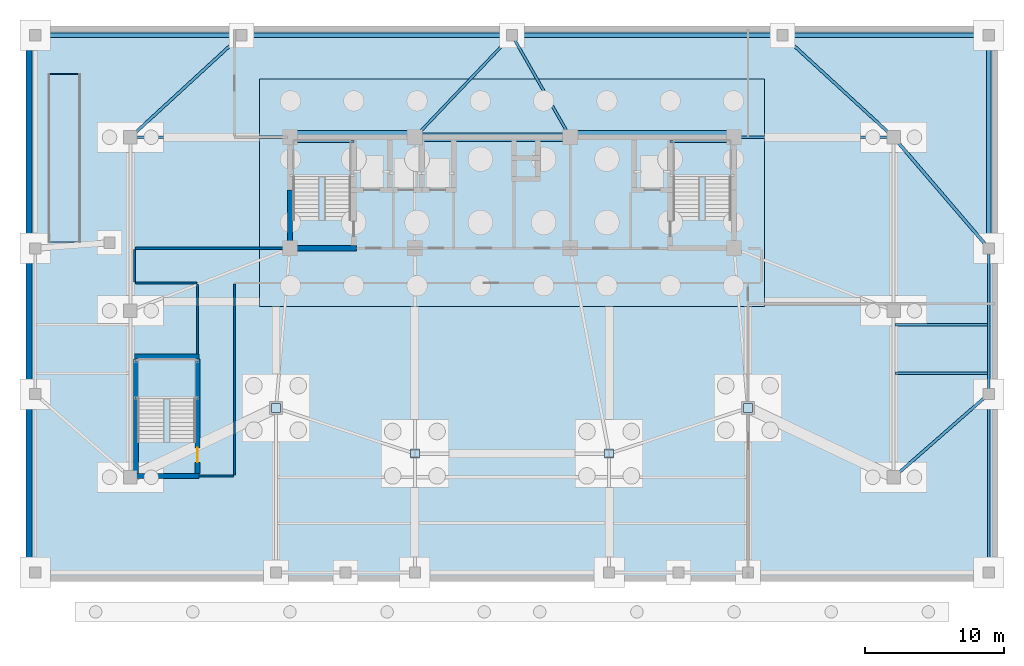
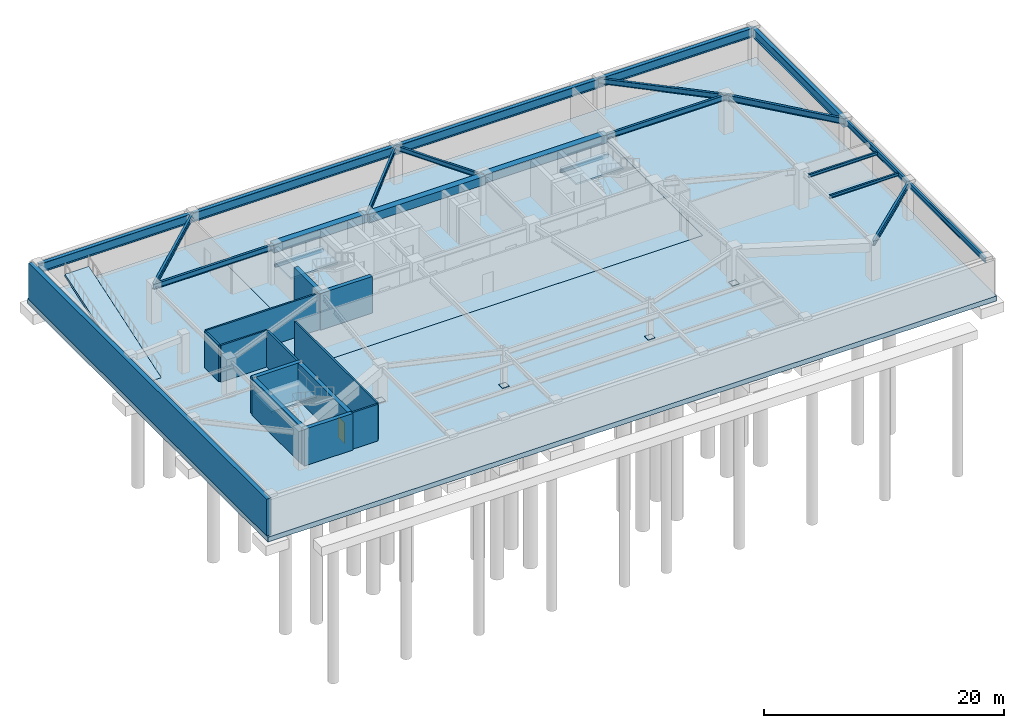
# One storey, part 4 of 10: 22 beams, 13 walls, 6 slabs, 4 plates, 1 door, 1 opening, 3 elements without a shape of their own.
"""IFC4 building model written with IfcOpenShell, lengths in metres."""

from ifc_helpers import new_model, si_unit, direction, frame, frame_2d, origin, origin_2d, place, context, subcontext, project, spatial, polyline, rectangle, hollow_rectangle, i_section, outline, extrude, source, transform, mapped, material, layer, layer_set, material_profile, profile_set, type_object, element, fill, aggregate, save


model = new_model("IFC4")

# Units and contexts
model_context = context("Model", 3, precision=1e-05, world=origin(), true_north=direction((0.0, 1.0)))
body_context = subcontext(model_context, "Body", "Model", "MODEL_VIEW")
ifc_project = project(units=[si_unit("LENGTHUNIT", "METRE"), si_unit("AREAUNIT", "SQUARE_METRE"), si_unit("VOLUMEUNIT", "CUBIC_METRE"), si_unit("PLANEANGLEUNIT", "RADIAN"), si_unit("MASSUNIT", "GRAM", prefix="KILO")], contexts=[model_context])

# Site, building, storey
site_placement = place(None, origin())
site = spatial("IfcSite", under=ifc_project, at=site_placement, CompositionType="ELEMENT")
building_placement = place(site_placement, origin())
building = spatial("IfcBuilding", under=site, at=building_placement, Name="Taldren Reach Tower", CompositionType="ELEMENT")
storey_placement = place(building_placement, frame((0.0, 0.0, -8.0)))
storey = spatial("IfcBuildingStorey", under=building, at=storey_placement, Name="B2", CompositionType="ELEMENT", Elevation=-8.0)

# Beams
ifc_material_1 = material(Name="Concrete S80 (80 MPa)", Category="concrete")
ifc_material_profile_1 = material_profile(ifc_material_1, rectangle(XDim=0.60009765625, YDim=0.85009765625, at=origin_2d()), Name="RC-CB600x850")
ifc_profile_set_1 = profile_set([ifc_material_profile_1], Name="Concrete S80 (80 MPa)")
beam_type_1 = type_object("IfcBeamType", Name="BM-RCCB850", PredefinedType="BEAM", material=ifc_profile_set_1)
shared_shape_1 = source(origin(), body_context, "Body", "SweptSolid", [
    extrude(rectangle(XDim=0.60009765625, YDim=0.85009765625, at=origin_2d()), origin(), (0.0, 0.0, 1.0), 9.0),
])
beam_1_placement = place(storey_placement, frame((19.0, 32.179931640625, 3.294921875), z_axis=(1.0, 0.0, 0.0), x_axis=(0.0, 1.0, 0.0)))
element("IfcBeam", 1, at=beam_1_placement, inside=storey, type_object=beam_type_1, Name="Core-spine girder B2-SP04", PredefinedType="BEAM", context=body_context, shape_type="MappedRepresentation", body=[
    mapped(shared_shape_1, transform((0.0, 0.0, 0.0), scale=1.0)),
])
shared_shape_2 = source(origin(), body_context, "Body", "SweptSolid", [
    extrude(rectangle(XDim=0.60009765625, YDim=0.85009765625, at=origin_2d()), origin(), (0.0, 0.0, 1.0), 11.199951171875),
])
beam_2_placement = place(storey_placement, frame((28.0, 32.0, 3.294921875), z_axis=(1.0, 0.0, 0.0), x_axis=(0.0, 1.0, 0.0)))
element("IfcBeam", 2, at=beam_2_placement, inside=storey, type_object=beam_type_1, Name="Core-spine girder B2-SP05", PredefinedType="BEAM", context=body_context, shape_type="MappedRepresentation", body=[
    mapped(shared_shape_2, transform((0.0, 0.0, 0.0), scale=1.0)),
])
shared_shape_3 = source(origin(), body_context, "Body", "SweptSolid", [
    extrude(rectangle(XDim=0.60009765625, YDim=0.85009765625, at=origin_2d()), origin(), (0.0, 0.0, 1.0), 11.800048828125),
])
beam_3_placement = place(storey_placement, frame((39.199951171875, 32.179931640625, 3.294921875), z_axis=(1.0, 0.0, 0.0), x_axis=(0.0, 1.0, 0.0)))
element("IfcBeam", 3, at=beam_3_placement, inside=storey, type_object=beam_type_1, Name="Core-spine girder B2-SP06", PredefinedType="BEAM", context=body_context, shape_type="MappedRepresentation", body=[
    mapped(shared_shape_3, transform((0.0, 0.0, 0.0), scale=1.0)),
])
ifc_material_2 = material(Name="Steel Gr 350 (350PLUS)", Category="steel")
ifc_material_profile_2 = material_profile(ifc_material_2, i_section(OverallWidth=0.35009765625, OverallDepth=0.916015625, WebThickness=0.013916015625, FlangeThickness=0.028076171875, at=origin_2d()), Name="900WB257")
ifc_profile_set_2 = profile_set([ifc_material_profile_2], Name="Steel Gr 350 (350PLUS)")
beam_type_2 = type_object("IfcBeamType", Name="BM-WB900", PredefinedType="BEAM", material=ifc_profile_set_2)
shared_shape_4 = source(origin(), body_context, "Body", "SweptSolid", [
    extrude(i_section(OverallWidth=0.35009765625, OverallDepth=0.916015625, WebThickness=0.013916015625, FlangeThickness=0.028076171875, at=origin_2d()), origin(), (0.0, 0.0, 1.0), 14.85009765625),
])
for number, where, z_axis, x_axis, name in (
    (4, (0.64990234375, 39.35009765625, 3.261962890625), (1.0, 0.0, 0.0), (0.0, 1.0, 0.0), "Podium girder B2-PD08"),
    (5, (54.5, 39.35009765625, 3.261962890625), (1.0, 0.0, 0.0), (0.0, 1.0, 0.0), "Podium girder B2-PD11"),
):
    element("IfcBeam", number, at=place(storey_placement, frame(where, z_axis=z_axis, x_axis=x_axis)), inside=storey, type_object=beam_type_2, Name=name, PredefinedType="BEAM", context=body_context, shape_type="MappedRepresentation", body=[
        mapped(shared_shape_4, transform((0.0, 0.0, 0.0), scale=1.0)),
    ])
shared_shape_5 = source(origin(), body_context, "Body", "SweptSolid", [
    extrude(i_section(OverallWidth=0.35009765625, OverallDepth=0.916015625, WebThickness=0.013916015625, FlangeThickness=0.028076171875, at=origin_2d()), origin(), (0.0, 0.0, 1.0), 19.5),
])
for number, where, z_axis, x_axis, name in (
    (6, (15.5, 39.35009765625, 3.261962890625), (1.0, 0.0, 0.0), (0.0, 1.0, 0.0), "Podium girder B2-PD09"),
    (7, (35.0, 39.35009765625, 3.261962890625), (1.0, 0.0, 0.0), (0.0, 1.0, 0.0), "Podium girder B2-PD10"),
):
    element("IfcBeam", number, at=place(storey_placement, frame(where, z_axis=z_axis, x_axis=x_axis)), inside=storey, type_object=beam_type_2, Name=name, PredefinedType="BEAM", context=body_context, shape_type="MappedRepresentation", body=[
        mapped(shared_shape_5, transform((0.0, 0.0, 0.0), scale=1.0)),
    ])
ifc_material_profile_3 = material_profile(ifc_material_2, i_section(OverallWidth=0.208984375, OverallDepth=0.528076171875, WebThickness=0.009521484375, FlangeThickness=0.01318359375, at=origin_2d()), Name="530UB82.0")
ifc_profile_set_3 = profile_set([ifc_material_profile_3], Name="Steel Gr 350 (350PLUS)")
beam_type_3 = type_object("IfcBeamType", Name="SP-UB530B", PredefinedType="SPANDREL", material=ifc_profile_set_3)
shared_shape_6 = source(origin(), body_context, "Body", "SweptSolid", [
    extrude(i_section(OverallWidth=0.208984375, OverallDepth=0.528076171875, WebThickness=0.009521484375, FlangeThickness=0.01318359375, at=origin_2d()), origin(), (0.0, 0.0, 1.0), 12.85009765625),
])
beam_4_placement = place(storey_placement, frame((69.35009765625, 0.64990234375, 3.4560546875), z_axis=(0.0, 1.0, 0.0), x_axis=(-1.0, 0.0, 0.0)))
element("IfcBeam", 8, at=beam_4_placement, inside=storey, type_object=beam_type_3, Name="Podium beam B2-PD15", PredefinedType="SPANDREL", context=body_context, shape_type="MappedRepresentation", body=[
    mapped(shared_shape_6, transform((0.0, 0.0, 0.0), scale=1.0)),
])
shared_shape_7 = source(origin(), body_context, "Body", "SweptSolid", [
    extrude(i_section(OverallWidth=0.208984375, OverallDepth=0.528076171875, WebThickness=0.009521484375, FlangeThickness=0.01318359375, at=origin_2d()), origin(), (0.0, 0.0, 1.0), 10.5),
])
beam_5_placement = place(storey_placement, frame((69.35009765625, 13.5, 3.4560546875), z_axis=(0.0, 1.0, 0.0), x_axis=(-1.0, 0.0, 0.0)))
element("IfcBeam", 9, at=beam_5_placement, inside=storey, type_object=beam_type_3, Name="Podium beam B2-PD16", PredefinedType="SPANDREL", context=body_context, shape_type="MappedRepresentation", body=[
    mapped(shared_shape_7, transform((0.0, 0.0, 0.0), scale=1.0)),
])
shared_shape_8 = source(origin(), body_context, "Body", "SweptSolid", [
    extrude(i_section(OverallWidth=0.35009765625, OverallDepth=0.916015625, WebThickness=0.013916015625, FlangeThickness=0.028076171875, at=origin_2d()), origin(), (0.0, 0.0, 1.0), 15.35009765625),
])
beam_6_placement = place(storey_placement, frame((69.35009765625, 24.0, 3.261962890625), z_axis=(0.0, 1.0, 0.0), x_axis=(-1.0, 0.0, 0.0)))
element("IfcBeam", 10, at=beam_6_placement, inside=storey, type_object=beam_type_2, Name="Podium girder B2-PD17", PredefinedType="BEAM", context=body_context, shape_type="MappedRepresentation", body=[
    mapped(shared_shape_8, transform((0.0, 0.0, 0.0), scale=1.0)),
])
ifc_material_profile_4 = material_profile(ifc_material_2, i_section(OverallWidth=0.208984375, OverallDepth=0.532958984375, WebThickness=0.01025390625, FlangeThickness=0.015625, at=origin_2d()), Name="530UB92.4")
ifc_profile_set_4 = profile_set([ifc_material_profile_4], Name="Steel Gr 350 (350PLUS)")
beam_type_4 = type_object("IfcBeamType", Name="BM-UB530A", PredefinedType="BEAM", material=ifc_profile_set_4)
shared_shape_9 = source(origin(), body_context, "Body", "SweptSolid", [
    extrude(i_section(OverallWidth=0.208984375, OverallDepth=0.532958984375, WebThickness=0.01025390625, FlangeThickness=0.015625, at=origin_2d()), origin(), (0.0, 0.0, 1.0), 9.106201171875),
])
beam_7_placement = place(storey_placement, frame((69.35009765625, 13.5, 3.45361328125), z_axis=(-0.75224111342, -0.658887932262, 0.0), x_axis=(0.658887932262, -0.75224111342, 0.0)))
element("IfcBeam", 11, at=beam_7_placement, inside=storey, type_object=beam_type_4, Name="Podium beam B2-PD26", PredefinedType="BEAM", context=body_context, shape_type="MappedRepresentation", body=[
    mapped(shared_shape_9, transform((0.0, 0.0, 0.0), scale=1.0)),
])
shared_shape_10 = source(origin(), body_context, "Body", "SweptSolid", [
    extrude(i_section(OverallWidth=0.208984375, OverallDepth=0.532958984375, WebThickness=0.01025390625, FlangeThickness=0.015625, at=origin_2d()), origin(), (0.0, 0.0, 1.0), 10.86376953125),
])
for number, where, z_axis, x_axis, name in (
    (12, (7.5, 32.0, 3.45361328125), (0.736385012576, 0.676562719379, 0.0), (-0.676562719379, 0.736385012576, 0.0), "Podium beam B2-PD21"),
    (13, (62.5, 32.0, 3.45361328125), (-0.736385012576, 0.676562719379, 0.0), (-0.676562719379, -0.736385012576, 0.0), "Podium beam B2-PD29"),
):
    element("IfcBeam", number, at=place(storey_placement, frame(where, z_axis=z_axis, x_axis=x_axis)), inside=storey, type_object=beam_type_4, Name=name, PredefinedType="BEAM", context=body_context, shape_type="MappedRepresentation", body=[
        mapped(shared_shape_10, transform((0.0, 0.0, 0.0), scale=1.0)),
    ])
shared_shape_11 = source(origin(), body_context, "Body", "SweptSolid", [
    extrude(i_section(OverallWidth=0.208984375, OverallDepth=0.532958984375, WebThickness=0.01025390625, FlangeThickness=0.015625, at=origin_2d()), origin(), (0.0, 0.0, 1.0), 11.5),
])
for number, where, z_axis, x_axis, name in (
    (14, (7.5, 32.0, 3.45361328125), (1.0, 0.0, 0.0), (0.0, 1.0, 0.0), "Podium beam B2-PD31"),
    (15, (51.0, 32.0, 3.45361328125), (1.0, 0.0, 0.0), (0.0, 1.0, 0.0), "Podium beam B2-PD33"),
):
    element("IfcBeam", number, at=place(storey_placement, frame(where, z_axis=z_axis, x_axis=x_axis)), inside=storey, type_object=beam_type_4, Name=name, PredefinedType="BEAM", context=body_context, shape_type="MappedRepresentation", body=[
        mapped(shared_shape_11, transform((0.0, 0.0, 0.0), scale=1.0)),
    ])
ifc_material_profile_5 = material_profile(ifc_material_2, i_section(OverallWidth=0.19091796875, OverallDepth=0.4599609375, WebThickness=0.010009765625, FlangeThickness=0.01611328125, at=origin_2d()), Name="460UB82.1")
ifc_profile_set_5 = profile_set([ifc_material_profile_5], Name="Steel Gr 350 (350PLUS)")
beam_type_5 = type_object("IfcBeamType", Name="BM-UB460A", PredefinedType="BEAM", material=ifc_profile_set_5)
shared_shape_12 = source(origin(), body_context, "Body", "SweptSolid", [
    extrude(i_section(OverallWidth=0.19091796875, OverallDepth=0.4599609375, WebThickness=0.010009765625, FlangeThickness=0.01611328125, at=origin_2d()), origin(), (0.0, 0.0, 1.0), 10.150146484375),
])
beam_8_placement = place(storey_placement, frame((28.0, 32.0, 3.489990234375), z_axis=(0.6896503675, 0.724142507113, 0.0), x_axis=(-0.724142507113, 0.6896503675, 0.0)))
element("IfcBeam", 16, at=beam_8_placement, inside=storey, type_object=beam_type_5, Name="Podium beam B2-PD34", PredefinedType="BEAM", context=body_context, shape_type="MappedRepresentation", body=[
    mapped(shared_shape_12, transform((0.0, 0.0, 0.0), scale=1.0)),
])
shared_shape_13 = source(origin(), body_context, "Body", "SweptSolid", [
    extrude(i_section(OverallWidth=0.19091796875, OverallDepth=0.4599609375, WebThickness=0.010009765625, FlangeThickness=0.01611328125, at=origin_2d()), origin(), (0.0, 0.0, 1.0), 8.46533203125),
])
beam_9_placement = place(storey_placement, frame((39.199951171875, 32.0, 3.489990234375), z_axis=(-0.496129620882, 0.86824846633, 0.0), x_axis=(-0.86824846633, -0.496129620882, 0.0)))
element("IfcBeam", 17, at=beam_9_placement, inside=storey, type_object=beam_type_5, Name="Podium beam B2-PD35", PredefinedType="BEAM", context=body_context, shape_type="MappedRepresentation", body=[
    mapped(shared_shape_13, transform((0.0, 0.0, 0.0), scale=1.0)),
])
ifc_material_3 = material(Name="Steel Gr 300 (300PLUS, 300 MPa)", Category="steel")
ifc_material_profile_6 = material_profile(ifc_material_3, i_section(OverallWidth=0.166015625, OverallDepth=0.306884765625, WebThickness=0.006591796875, FlangeThickness=0.01171875, at=origin_2d()), Name="310UB46.2")
ifc_profile_set_6 = profile_set([ifc_material_profile_6], Name="Steel Gr 300 (300PLUS, 300 MPa)")
beam_type_6 = type_object("IfcBeamType", Name="JS-UB310", PredefinedType="JOIST", material=ifc_profile_set_6)
shared_shape_14 = source(origin(), body_context, "Body", "SweptSolid", [
    extrude(i_section(OverallWidth=0.166015625, OverallDepth=0.306884765625, WebThickness=0.006591796875, FlangeThickness=0.01171875, at=origin_2d()), origin(), (0.0, 0.0, 1.0), 6.64111328125),
])
for number, where, z_axis, x_axis, name in (
    (18, (62.6044921875, 15.0, 3.56640625), (1.0, 0.0, 0.0), (0.0, 1.0, 0.0), "Podium wing floor joist B2-3.2"),
    (19, (62.6044921875, 18.5, 3.56640625), (1.0, 0.0, 0.0), (0.0, 1.0, 0.0), "Podium wing floor joist B2-4.2"),
):
    element("IfcBeam", number, at=place(storey_placement, frame(where, z_axis=z_axis, x_axis=x_axis)), inside=storey, type_object=beam_type_6, Name=name, PredefinedType="JOIST", context=body_context, shape_type="MappedRepresentation", body=[
        mapped(shared_shape_14, transform((0.0, 0.0, 0.0), scale=1.0)),
    ])
ifc_material_profile_7 = material_profile(ifc_material_2, i_section(OverallWidth=0.22900390625, OverallDepth=0.612060546875, WebThickness=0.011962890625, FlangeThickness=0.01953125, at=origin_2d()), Name="610UB125")
ifc_profile_set_7 = profile_set([ifc_material_profile_7], Name="Steel Gr 350 (350PLUS)")
beam_type_7 = type_object("IfcBeamType", Name="BM-UB610A", PredefinedType="BEAM", material=ifc_profile_set_7)
shared_shape_15 = source(origin(), body_context, "Body", "SweptSolid", [
    extrude(i_section(OverallWidth=0.22900390625, OverallDepth=0.612060546875, WebThickness=0.011962890625, FlangeThickness=0.01953125, at=origin_2d()), origin(), (0.0, 0.0, 1.0), 10.531982421875),
])
beam_10_placement = place(storey_placement, frame((62.5, 32.0, 3.4140625), z_axis=(0.650405670814, -0.759587034758, 0.0), x_axis=(0.759587034758, 0.650405670814, 0.0)))
element("IfcBeam", 20, at=beam_10_placement, inside=storey, type_object=beam_type_7, Name="Service bay heavy portal lintel B2", PredefinedType="BEAM", context=body_context, shape_type="MappedRepresentation", body=[
    mapped(shared_shape_15, transform((0.0, 0.0, 0.0), scale=1.0)),
])
ifc_material_4 = material(Name="Steel Gr 350 (C350L0)", Category="steel")
ifc_material_profile_8 = material_profile(ifc_material_4, hollow_rectangle(XDim=0.14990234375, YDim=0.25, WallThickness=0.009033203125, at=origin_2d()), Name="250x150x9.0RHS")
ifc_profile_set_8 = profile_set([ifc_material_profile_8], Name="Steel Gr 350 (C350L0)")
beam_type_8 = type_object("IfcBeamType", Name="LN-RHS250", PredefinedType="LINTEL", material=ifc_profile_set_8)
shared_shape_16 = source(origin(), body_context, "Body", "SweptSolid", [
    extrude(hollow_rectangle(XDim=0.14990234375, YDim=0.25, WallThickness=0.009033203125, at=origin_2d()), origin(), (0.0, 0.0, 1.0), 4.60009765625),
])
for number, where, z_axis, x_axis, name in (
    (21, (19.0, 31.699951171875, 1.695068359375), (1.0, 0.0, 0.0), (0.0, 1.0, 0.0), "Stair half-landing support beam ST1-B2-2"),
    (22, (46.39990234375, 31.699951171875, 1.695068359375), (1.0, 0.0, 0.0), (0.0, 1.0, 0.0), "Stair half-landing support beam ST2-B2-2"),
):
    element("IfcBeam", number, at=place(storey_placement, frame(where, z_axis=z_axis, x_axis=x_axis)), inside=storey, type_object=beam_type_8, Name=name, PredefinedType="LINTEL", context=body_context, shape_type="MappedRepresentation", body=[
        mapped(shared_shape_16, transform((0.0, 0.0, 0.0), scale=1.0)),
    ])

# Slab
ifc_material_5 = material(Name="Concrete S50 (50 MPa)", Category="concrete")
ifc_layer_1 = layer(ifc_material_5, 0.5)
ifc_layer_set_1 = layer_set([ifc_layer_1], Name="Concrete S50 (50 MPa)")
slab_type_1 = type_object("IfcSlabType", Name="SL-BASE-500", PredefinedType="BASESLAB", material=ifc_layer_set_1)
slab_1_placement = place(storey_placement, frame((0.0, 0.0, -0.5)))
element("IfcSlab", 23, at=slab_1_placement, inside=storey, type_object=slab_type_1, Name="Basement B2 base slab SB-500", PredefinedType="BASESLAB", context=body_context, shape_type="SweptSolid", body=[
    extrude(outline(polyline([(0.0, 0.0), (70.0, 0.0), (70.0, 40.0), (0.0, 40.0), (0.0, 0.0)]), holes=[polyline([(16.800048828125, 19.800048828125), (53.199951171875, 19.800048828125), (53.199951171875, 36.199951171875), (16.800048828125, 36.199951171875), (16.800048828125, 19.800048828125)])]), origin(), (0.0, 0.0, 1.0), 0.5),
])

# Stair, slab
stair_type_1 = type_object("IfcStairType", Name="ST-HT-400", PredefinedType="HALF_TURN_STAIR", material=ifc_material_5)
stair_1_placement = place(storey_placement, origin())
stair_1 = element("IfcStair", 24, at=stair_1_placement, inside=storey, type_object=stair_type_1, Name="Fire-isolated exit stair ST1 B2", PredefinedType="HALF_TURN_STAIR")
ifc_layer_2 = layer(ifc_material_5, 0.179931640625)
ifc_layer_set_2 = layer_set([ifc_layer_2], Name="Concrete S50 (50 MPa)")
slab_type_2 = type_object("IfcSlabType", Name="SL-LAND-180", PredefinedType="LANDING", material=ifc_layer_set_2)
slab_2_placement = place(storey_placement, frame((0.0, 0.0, 1.820068359375)))
slab_2 = element("IfcSlab", 25, at=slab_2_placement, type_object=slab_type_2, Name="ST1 landing 1", PredefinedType="LANDING", context=body_context, shape_type="SweptSolid", body=[
    extrude(outline(polyline([(19.0400390625, 29.135009765625), (23.56005859375, 29.135009765625), (23.56005859375, 31.8701171875), (19.0400390625, 31.8701171875), (19.0400390625, 29.135009765625)])), origin(), (0.0, 0.0, 1.0), 0.179931640625),
])
aggregate(stair_1, [slab_2])

stair_2_placement = place(storey_placement, origin())
stair_2 = element("IfcStair", 26, at=stair_2_placement, inside=storey, type_object=stair_type_1, Name="Fire-isolated exit stair ST2 B2", PredefinedType="HALF_TURN_STAIR")
slab_3_placement = place(storey_placement, frame((0.0, 0.0, 1.820068359375)))
slab_3 = element("IfcSlab", 27, at=slab_3_placement, type_object=slab_type_2, Name="ST2 landing 1", PredefinedType="LANDING", context=body_context, shape_type="SweptSolid", body=[
    extrude(outline(polyline([(46.43994140625, 29.135009765625), (50.9599609375, 29.135009765625), (50.9599609375, 31.8701171875), (46.43994140625, 31.8701171875), (46.43994140625, 29.135009765625)])), origin(), (0.0, 0.0, 1.0), 0.179931640625),
])
aggregate(stair_2, [slab_3])

stair_type_2 = type_object("IfcStairType", Name="ST-HT-POD", PredefinedType="HALF_TURN_STAIR", material=ifc_material_5)
stair_3_placement = place(storey_placement, origin())
stair_3 = element("IfcStair", 28, at=stair_3_placement, inside=storey, type_object=stair_type_2, Name="Fire-isolated exit stair ST3 B2", PredefinedType="HALF_TURN_STAIR")
slab_4_placement = place(storey_placement, frame((0.0, 0.0, 1.820068359375)))
slab_4 = element("IfcSlab", 29, at=slab_4_placement, type_object=slab_type_2, Name="ST3 landing 1", PredefinedType="LANDING", context=body_context, shape_type="SweptSolid", body=[
    extrude(outline(polyline([(7.93994140625, 13.135009765625), (12.300048828125, 13.135009765625), (12.300048828125, 16.1298828125), (7.93994140625, 16.1298828125), (7.93994140625, 13.135009765625)])), origin(), (0.0, 0.0, 1.0), 0.179931640625),
])
aggregate(stair_3, [slab_4])

# Slabs
ifc_material_6 = material(Name="Concrete S65 (65 MPa)", Category="concrete")
ifc_layer_3 = layer(ifc_material_6, 1.800048828125)
ifc_layer_set_3 = layer_set([ifc_layer_3], Name="Concrete S65 (65 MPa)")
slab_type_3 = type_object("IfcSlabType", Name="SL-RAFT-1800", PredefinedType="BASESLAB", material=ifc_layer_set_3)
slab_5_placement = place(storey_placement, frame((0.0, 0.0, -1.800048828125)))
element("IfcSlab", 30, at=slab_5_placement, inside=storey, type_object=slab_type_3, Name="Core piled raft foundation SR-1800", PredefinedType="BASESLAB", context=body_context, shape_type="SweptSolid", body=[
    extrude(outline(polyline([(16.800048828125, 19.800048828125), (53.199951171875, 19.800048828125), (53.199951171875, 36.199951171875), (16.800048828125, 36.199951171875), (16.800048828125, 19.800048828125)])), origin(), (0.0, 0.0, 1.0), 1.800048828125),
])
ifc_layer_4 = layer(ifc_material_5, 0.25)
ifc_layer_set_4 = layer_set([ifc_layer_4], Name="Concrete S50 (50 MPa)")
slab_type_4 = type_object("IfcSlabType", Name="SL-RV1-250", PredefinedType="FLOOR", material=ifc_layer_set_4)
slab_6_placement = place(storey_placement, frame((1.60009765625, 24.469970703125, 0.0), z_axis=(0.0, -0.314809387074, 0.949154913494), x_axis=(0.0, 0.949154913494, 0.314809387074)))
element("IfcSlab", 31, at=slab_6_placement, inside=storey, type_object=slab_type_4, Name="Vehicle ramp slab B2-to-B1", PredefinedType="FLOOR", context=body_context, shape_type="SweptSolid", body=[
    extrude(outline(polyline([(0.0, 0.0), (12.706101, 0.0), (12.706101, -2.299805), (0.0, -2.299805), (0.0, 0.0)])), origin(), (0.0, 0.0, -1.0), 0.25),
])

# Plates
ifc_layer_5 = layer(ifc_material_2, 0.050048828125)
ifc_layer_set_5 = layer_set([ifc_layer_5], Name="Steel Gr 350 (350PLUS)")
plate_type = type_object("IfcPlateType", Name="PL-BASE-50", PredefinedType="SHEET", material=ifc_layer_set_5)
shared_shape_17 = source(origin(), body_context, "Body", "SweptSolid", [
    extrude(rectangle(XDim=0.64990234375, YDim=0.64990234375, at=origin_2d()), origin(), (0.0, 0.0, 1.0), 0.050048828125),
])
for number, where, z_axis, x_axis, name in (
    (32, (28.0, 9.199951171875, 0.0), (0.0, 0.0, 1.0), (1.0, 0.0, 0.0), "Column base plate MC-PJW"),
    (33, (42.0, 9.199951171875, 0.0), (0.0, 0.0, 1.0), (1.0, 0.0, 0.0), "Column base plate MC-PJE"),
    (34, (18.0, 12.5, 0.0), (0.0, 0.0, 1.0), (1.0, 0.0, 0.0), "Column base plate MC-SW"),
    (35, (52.0, 12.5, 0.0), (0.0, 0.0, 1.0), (1.0, 0.0, 0.0), "Column base plate MC-SE"),
):
    element("IfcPlate", number, at=place(storey_placement, frame(where, z_axis=z_axis, x_axis=x_axis)), inside=storey, type_object=plate_type, Name=name, PredefinedType="SHEET", context=body_context, shape_type="MappedRepresentation", body=[
        mapped(shared_shape_17, transform((0.0, 0.0, 0.0), scale=1.0)),
    ])

# Walls
ifc_layer_6 = layer(ifc_material_5, 0.4, Name="Concrete S50 (50 MPa)", Category="concrete")
ifc_material_7 = material(Name="SBS Waterproofing Membrane", Category="bitumen")
ifc_layer_7 = layer(ifc_material_7, 0.02, Name="SBS Waterproofing Membrane", Category="bitumen")
ifc_layer_set_6 = layer_set([ifc_layer_6, ifc_layer_7], Name="Concrete 50 MPa (S50) Retaining Wall with Waterproofing Membrane")
wall_type_1 = type_object("IfcWallType", Name="EW-RET-420", PredefinedType="SOLIDWALL", material=ifc_layer_set_6)
shared_shape_18 = source(origin(), body_context, "Body", "SweptSolid", [
    extrude(rectangle(XDim=39.580078125, YDim=0.419921875, at=frame_2d((19.7900390625, 0.0))), origin(), (0.0, 0.0, 1.0), 3.719970703125),
])
wall_1_placement = place(storey_placement, frame((0.2099609375, 39.7900390625, 0.0), z_axis=(0.0, 0.0, 1.0), x_axis=(0.0, -1.0, 0.0)))
element("IfcWall", 36, at=wall_1_placement, inside=storey, type_object=wall_type_1, Name="Basement diaphragm retaining wall B2-W", PredefinedType="SOLIDWALL", context=body_context, shape_type="MappedRepresentation", body=[
    mapped(shared_shape_18, transform((0.0, 0.0, 0.0), scale=1.0)),
])
ifc_layer_8 = layer(ifc_material_1, 0.3798828125)
ifc_layer_set_7 = layer_set([ifc_layer_8], Name="Concrete S80 (80 MPa)")
wall_type_2 = type_object("IfcWallType", Name="IW-CORE-380", PredefinedType="SHEAR", material=ifc_layer_set_7)
shared_shape_19 = source(origin(), body_context, "Body", "SweptSolid", [
    extrude(rectangle(XDim=4.010009765625, YDim=0.3798828125, at=frame_2d((2.0048828125, 0.0))), origin(), (0.0, 0.0, 1.0), 3.719970703125),
])
wall_2_placement = place(storey_placement, frame((19.0, 24.18994140625, 0.0), z_axis=(0.0, 0.0, 1.0), x_axis=(0.0, 1.0, 0.0)))
element("IfcWall", 37, at=wall_2_placement, inside=storey, type_object=wall_type_2, Name="Rear Core Shear Wall W-CORE-B2-WEST1", PredefinedType="SHEAR", context=body_context, shape_type="MappedRepresentation", body=[
    mapped(shared_shape_19, transform((0.0, 0.0, 0.0), scale=1.0)),
])
shared_shape_20 = source(origin(), body_context, "Body", "SweptSolid", [
    extrude(rectangle(XDim=4.97998046875, YDim=0.3798828125, at=frame_2d((2.489990234375, 0.0))), origin(), (0.0, 0.0, 1.0), 3.719970703125),
])
wall_3_placement = place(storey_placement, frame((18.81005859375, 24.0, 0.0), z_axis=(0.0, 0.0, 1.0), x_axis=(1.0, 0.0, 0.0)))
element("IfcWall", 38, at=wall_3_placement, inside=storey, type_object=wall_type_2, Name="Rear Core Shear Wall W-INT-B2-003", PredefinedType="SHEAR", context=body_context, shape_type="MappedRepresentation", body=[
    mapped(shared_shape_20, transform((0.0, 0.0, 0.0), scale=1.0)),
])

# Wall, opening, door
shared_shape_21 = source(origin(), body_context, "Body", "SweptSolid", [
    extrude(rectangle(XDim=8.219970703125, YDim=0.3798828125, at=frame_2d((4.10986328125, 0.0))), origin(), (0.0, 0.0, 1.0), 3.719970703125),
])
wall_4_placement = place(storey_placement, frame((12.340087890625, 16.010009765625, 0.0), z_axis=(0.0, 0.0, 1.0), x_axis=(0.0, -1.0, 0.0)))
wall_4 = element("IfcWall", 39, at=wall_4_placement, inside=storey, type_object=wall_type_2, Name="Rear Core Shear Wall W-INT-B2-032", PredefinedType="SHEAR", context=body_context, shape_type="MappedRepresentation", body=[
    mapped(shared_shape_21, transform((0.0, 0.0, 0.0), scale=1.0)),
])
shared_shape_22 = source(origin(), body_context, "Body", "SweptSolid", [
    extrude(rectangle(XDim=1.050048828125, YDim=2.10009765625, at=frame_2d((0.52490234375, 1.050048828125))), frame((0.0, 0.199951171875, 0.0), z_axis=(0.0, -1.0, 0.0), x_axis=(1.0, 0.0, 0.0)), (0.0, 0.0, 1.0), 0.39990234375),
])
opening_placement = place(wall_4_placement, frame((6.385009765625, 0.0, 0.0)))
opening = element("IfcOpeningElement", 40, at=opening_placement, cuts=wall_4, Name="Opening DF-105", PredefinedType="OPENING", context=body_context, shape_type="MappedRepresentation", body=[
    mapped(shared_shape_22, transform((0.0, 0.0, 0.0), scale=1.0)),
])
ifc_material_8 = material(Name="Fire-Rated Care and Stair Exit Door")
door_type = type_object("IfcDoorType", Name="ID-FIRE-105", OperationType="NOTDEFINED", PredefinedType="DOOR", material=ifc_material_8)
shared_shape_23 = source(origin(), body_context, "Body", "SweptSolid", [
    extrude(rectangle(XDim=1.050048828125, YDim=2.10009765625, at=frame_2d((0.52490234375, 1.050048828125))), frame((0.0, 0.02490234375, 0.0), z_axis=(0.0, -1.0, 0.0), x_axis=(1.0, 0.0, 0.0)), (0.0, 0.0, 1.0), 0.050048828125),
])
door_placement = place(opening_placement, frame((1.050048828125, 0.0, 0.0), z_axis=(0.0, 0.0, 1.0), x_axis=(-1.0, 0.0, 0.0)))
door = element("IfcDoor", 41, at=door_placement, inside=storey, type_object=door_type, Name="Fire Exit Stair Door DR-B2-009", OperationType="SINGLE_SWING_LEFT", OverallHeight=2.10009765625, OverallWidth=1.050048828125, PredefinedType="DOOR", context=body_context, shape_type="MappedRepresentation", body=[
    mapped(shared_shape_23, transform((0.0, 0.0, 0.0), scale=1.0)),
])
fill(opening, door)

# Walls
wall_5_placement = place(storey_placement, frame((7.89990234375, 7.7900390625, 0.0), z_axis=(0.0, 0.0, 1.0), x_axis=(0.0, 1.0, 0.0)))
element("IfcWall", 42, at=wall_5_placement, inside=storey, type_object=wall_type_2, Name="Rear Core Shear Wall W-INT-B2-033", PredefinedType="SHEAR", context=body_context, shape_type="MappedRepresentation", body=[
    mapped(shared_shape_21, transform((0.0, 0.0, 0.0), scale=1.0)),
])
shared_shape_24 = source(origin(), body_context, "Body", "SweptSolid", [
    extrude(rectangle(XDim=4.659912109375, YDim=0.3798828125, at=frame_2d((2.330078125, 0.0))), origin(), (0.0, 0.0, 1.0), 3.719970703125),
])
for number, where, z_axis, x_axis, name in (
    (43, (7.7900390625, 16.199951171875, 0.0), (0.0, 0.0, 1.0), (1.0, 0.0, 0.0), "Rear Core Shear Wall W-INT-B2-034"),
    (44, (12.449951171875, 7.60009765625, 0.0), (0.0, 0.0, 1.0), (-1.0, 0.0, 0.0), "Rear Core Shear Wall W-INT-B2-035"),
):
    element("IfcWall", number, at=place(storey_placement, frame(where, z_axis=z_axis, x_axis=x_axis)), inside=storey, type_object=wall_type_2, Name=name, PredefinedType="SHEAR", context=body_context, shape_type="MappedRepresentation", body=[
        mapped(shared_shape_24, transform((0.0, 0.0, 0.0), scale=1.0)),
    ])
ifc_material_9 = material(Name="Fire-Rated Acoustic Plasterboard Stud Wall", Category="gypsum")
ifc_layer_9 = layer(ifc_material_9, 0.159912109375)
ifc_layer_set_8 = layer_set([ifc_layer_9], Name="Fire-Rated Acoustic Plasterboard Stud Wall")
wall_type_3 = type_object("IfcWallType", Name="IW-FIRE-160", PredefinedType="PARTITIONING", material=ifc_layer_set_8)
shared_shape_25 = source(origin(), body_context, "Body", "SweptSolid", [
    extrude(rectangle(XDim=13.739990234375, YDim=0.159912109375, at=frame_2d((6.8701171875, 0.0))), origin(), (0.0, 0.0, 1.0), 3.719970703125),
])
wall_6_placement = place(storey_placement, frame((15.0, 21.419921875, 0.0), z_axis=(0.0, 0.0, 1.0), x_axis=(0.0, -1.0, 0.0)))
element("IfcWall", 45, at=wall_6_placement, inside=storey, type_object=wall_type_3, Name="Interior Partition Wall W-INT-B2-037", PredefinedType="PARTITIONING", context=body_context, shape_type="MappedRepresentation", body=[
    mapped(shared_shape_25, transform((0.0, 0.0, 0.0), scale=1.0)),
])
shared_shape_26 = source(origin(), body_context, "Body", "SweptSolid", [
    extrude(rectangle(XDim=10.93017578125, YDim=0.159912109375, at=frame_2d((5.465087890625, 0.0))), origin(), (0.0, 0.0, 1.0), 3.719970703125),
])
wall_7_placement = place(storey_placement, frame((7.8798828125, 24.0, 0.0), z_axis=(0.0, 0.0, 1.0), x_axis=(1.0, 0.0, 0.0)))
element("IfcWall", 46, at=wall_7_placement, inside=storey, type_object=wall_type_3, Name="Interior Partition Wall W-INT-B2-038", PredefinedType="PARTITIONING", context=body_context, shape_type="MappedRepresentation", body=[
    mapped(shared_shape_26, transform((0.0, 0.0, 0.0), scale=1.0)),
])
shared_shape_27 = source(origin(), body_context, "Body", "SweptSolid", [
    extrude(rectangle(XDim=5.030029296875, YDim=0.159912109375, at=frame_2d((2.51513671875, 0.0))), origin(), (0.0, 0.0, 1.0), 3.719970703125),
])
wall_8_placement = place(storey_placement, frame((12.340087890625, 16.389892578125, 0.0), z_axis=(0.0, 0.0, 1.0), x_axis=(0.0, 1.0, 0.0)))
element("IfcWall", 47, at=wall_8_placement, inside=storey, type_object=wall_type_3, Name="Interior Partition Wall W-INT-B2-039", PredefinedType="PARTITIONING", context=body_context, shape_type="MappedRepresentation", body=[
    mapped(shared_shape_27, transform((0.0, 0.0, 0.0), scale=1.0)),
])
shared_shape_28 = source(origin(), body_context, "Body", "SweptSolid", [
    extrude(rectangle(XDim=4.43994140625, YDim=0.159912109375, at=frame_2d((2.219970703125, 0.0))), origin(), (0.0, 0.0, 1.0), 3.719970703125),
])
wall_9_placement = place(storey_placement, frame((12.31982421875, 21.5, 0.0), z_axis=(0.0, 0.0, 1.0), x_axis=(-1.0, 0.0, 0.0)))
element("IfcWall", 48, at=wall_9_placement, inside=storey, type_object=wall_type_3, Name="Interior Partition Wall W-INT-B2-040", PredefinedType="PARTITIONING", context=body_context, shape_type="MappedRepresentation", body=[
    mapped(shared_shape_28, transform((0.0, 0.0, 0.0), scale=1.0)),
])
shared_shape_29 = source(origin(), body_context, "Body", "SweptSolid", [
    extrude(rectangle(XDim=2.469970703125, YDim=0.159912109375, at=frame_2d((1.23486328125, 0.0))), origin(), (0.0, 0.0, 1.0), 3.719970703125),
])
wall_10_placement = place(storey_placement, frame((14.919921875, 7.60009765625, 0.0), z_axis=(0.0, 0.0, 1.0), x_axis=(-1.0, 0.0, 0.0)))
element("IfcWall", 49, at=wall_10_placement, inside=storey, type_object=wall_type_3, Name="Interior Partition Wall W-INT-B2-041", PredefinedType="PARTITIONING", context=body_context, shape_type="MappedRepresentation", body=[
    mapped(shared_shape_29, transform((0.0, 0.0, 0.0), scale=1.0)),
])
shared_shape_30 = source(origin(), body_context, "Body", "SweptSolid", [
    extrude(rectangle(XDim=2.33984375, YDim=0.159912109375, at=frame_2d((1.169921875, 0.0))), origin(), (0.0, 0.0, 1.0), 3.719970703125),
])
wall_11_placement = place(storey_placement, frame((7.800048828125, 21.580078125, 0.0), z_axis=(0.0, 0.0, 1.0), x_axis=(0.0, 1.0, 0.0)))
element("IfcWall", 50, at=wall_11_placement, inside=storey, type_object=wall_type_3, Name="Interior Partition Wall W-INT-B2-042", PredefinedType="PARTITIONING", context=body_context, shape_type="MappedRepresentation", body=[
    mapped(shared_shape_30, transform((0.0, 0.0, 0.0), scale=1.0)),
])

save(model, "model.ifc")
